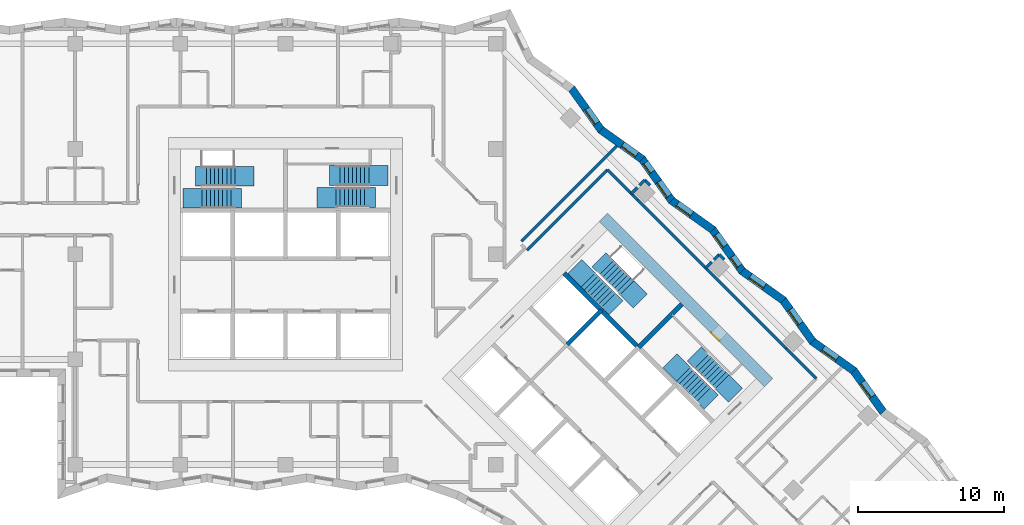
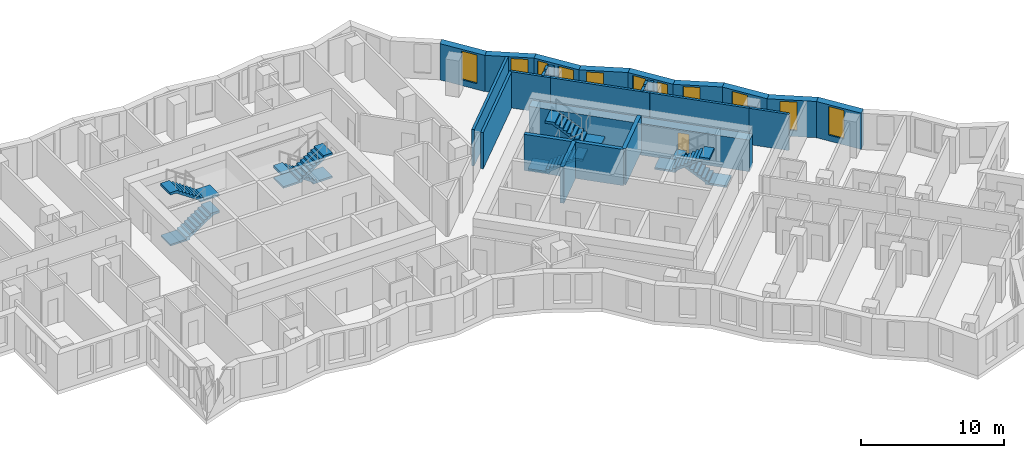
# One storey, part 11 of 13: 25 walls, 11 windows, 8 stair flights, 1 door, 12 openings, 4 elements without a shape of their own.
"""IFC4 building model written with IfcOpenShell, lengths in metres."""

from ifc_helpers import new_model, si_unit, direction, frame, frame_2d, origin, place, context, subcontext, project, spatial, polyline, rectangle, outline, extrude, material, layer, layer_set, type_object, element, fill, aggregate, save


model = new_model("IFC4")

# Units and contexts
model_context = context("Model", 3, precision=1e-05, world=origin(), true_north=direction((0.0, 1.0)))
body_context = subcontext(model_context, "Body", "Model", "MODEL_VIEW")
ifc_project = project(units=[si_unit("LENGTHUNIT", "METRE"), si_unit("AREAUNIT", "SQUARE_METRE"), si_unit("VOLUMEUNIT", "CUBIC_METRE"), si_unit("PLANEANGLEUNIT", "RADIAN"), si_unit("MASSUNIT", "GRAM", prefix="KILO")], contexts=[model_context])

# Site, building, storey
site_placement = place(None, origin())
site = spatial("IfcSite", under=ifc_project, at=site_placement, CompositionType="ELEMENT")
building_placement = place(site_placement, origin())
building = spatial("IfcBuilding", under=site, at=building_placement, Name="Windrow Commons", CompositionType="ELEMENT")
storey_placement = place(building_placement, frame((0.0, 0.0, 111.8)))
storey = spatial("IfcBuildingStorey", under=building, at=storey_placement, Name="L30", CompositionType="ELEMENT", Elevation=111.8)

# Wall, opening, window
ifc_material_1 = material(Name="Brick masonry, red clay brick", Category="masonry")
ifc_layer_1 = layer(ifc_material_1, 0.55)
ifc_layer_set_1 = layer_set([ifc_layer_1], Name="Brick facade wall 550")
wall_type_1 = type_object("IfcWallType", Name="Brick facade wall 550", PredefinedType="SOLIDWALL", material=ifc_layer_set_1)
wall_1_placement = place(storey_placement, frame((105.7038, 46.7989, 0.0), z_axis=(0.0, 0.0, 1.0), x_axis=(-0.5805081201, 0.8142544581, 0.0)))
wall_1 = element("IfcWall", 1, at=wall_1_placement, inside=storey, type_object=wall_type_1, Name="Brick facade wall L30 10", PredefinedType="SOLIDWALL", context=body_context, shape_type="SweptSolid", body=[
    extrude(outline(polyline([(0.0461, -0.275), (3.5067, -0.275), (3.4145, 0.275), (-0.0461, 0.275), (0.0461, -0.275)])), origin(), (0.0, 0.0, 1.0), 3.1),
])
opening_1_placement = place(wall_1_placement, frame((1.2916, 0.0, 0.5)))
opening_1 = element("IfcOpeningElement", 2, at=opening_1_placement, cuts=wall_1, Name="Opening W7D", PredefinedType="OPENING", context=body_context, shape_type="SweptSolid", body=[
    extrude(rectangle(XDim=1.2, YDim=2.45, at=frame_2d((0.6, 1.225))), frame((0.0, 0.285, 0.0), z_axis=(0.0, -1.0, 0.0), x_axis=(1.0, 0.0, 0.0)), (0.0, 0.0, 1.0), 0.57),
])
ifc_material_2 = material(Name="Clear float glass in anodised aluminium frame", Category="aluminium")
window_type_1 = type_object("IfcWindowType", Name="Window W7 notch 1200x2450", PartitioningType="SINGLE_PANEL", PredefinedType="WINDOW", material=ifc_material_2)
window_1_placement = place(opening_1_placement, origin())
window_1 = element("IfcWindow", 3, at=window_1_placement, inside=storey, type_object=window_type_1, Name="Window L30 10.1", OverallHeight=2.45, OverallWidth=1.2, PartitioningType="SINGLE_PANEL", PredefinedType="WINDOW", context=body_context, shape_type="SweptSolid", body=[
    extrude(rectangle(XDim=1.2, YDim=2.45, at=frame_2d((0.6, 1.225))), frame((0.0, 0.155, 0.0), z_axis=(0.0, -1.0, 0.0), x_axis=(1.0, 0.0, 0.0)), (0.0, 0.0, 1.0), 0.06),
])
fill(opening_1, window_1)

wall_2_placement = place(storey_placement, frame((103.6949, 49.6167, 0.0), z_axis=(0.0, 0.0, 1.0), x_axis=(-0.8142407991, 0.5805272785, 0.0)))
wall_2 = element("IfcWall", 4, at=wall_2_placement, inside=storey, type_object=wall_type_1, Name="Brick facade wall L30 11", PredefinedType="SOLIDWALL", context=body_context, shape_type="SweptSolid", body=[
    extrude(outline(polyline([(-0.0461, -0.275), (3.4145, -0.275), (3.5067, 0.275), (0.0461, 0.275), (-0.0461, -0.275)])), origin(), (0.0, 0.0, 1.0), 3.1),
])
opening_2_placement = place(wall_2_placement, frame((1.4095, 0.0, 0.5)))
opening_2 = element("IfcOpeningElement", 5, at=opening_2_placement, cuts=wall_2, Name="Opening W7D", PredefinedType="OPENING", context=body_context, shape_type="SweptSolid", body=[
    extrude(rectangle(XDim=1.2, YDim=2.45, at=frame_2d((0.6, 1.225))), frame((0.0, 0.285, 0.0), z_axis=(0.0, -1.0, 0.0), x_axis=(1.0, 0.0, 0.0)), (0.0, 0.0, 1.0), 0.57),
])
window_2_placement = place(opening_2_placement, origin())
window_2 = element("IfcWindow", 6, at=window_2_placement, inside=storey, type_object=window_type_1, Name="Window L30 11.1", OverallHeight=2.45, OverallWidth=1.2, PartitioningType="SINGLE_PANEL", PredefinedType="WINDOW", context=body_context, shape_type="SweptSolid", body=[
    extrude(rectangle(XDim=1.2, YDim=2.45, at=frame_2d((0.6, 1.225))), frame((0.0, 0.155, 0.0), z_axis=(0.0, -1.0, 0.0), x_axis=(1.0, 0.0, 0.0)), (0.0, 0.0, 1.0), 0.06),
])
fill(opening_2, window_2)

wall_3_placement = place(storey_placement, frame((100.8771, 51.6257, 0.0), z_axis=(0.0, 0.0, 1.0), x_axis=(-0.5805272785, 0.8142407991, 0.0)))
wall_3 = element("IfcWall", 7, at=wall_3_placement, inside=storey, type_object=wall_type_1, Name="Brick facade wall L30 12", PredefinedType="SOLIDWALL", context=body_context, shape_type="SweptSolid", body=[
    extrude(outline(polyline([(0.0461, -0.275), (3.5067, -0.275), (3.4145, 0.275), (-0.0461, 0.275), (0.0461, -0.275)])), origin(), (0.0, 0.0, 1.0), 3.1),
])
opening_3_placement = place(wall_3_placement, frame((1.4812, 0.0, 0.5)))
opening_3 = element("IfcOpeningElement", 8, at=opening_3_placement, cuts=wall_3, Name="Opening W7D", PredefinedType="OPENING", context=body_context, shape_type="SweptSolid", body=[
    extrude(rectangle(XDim=1.2, YDim=2.45, at=frame_2d((0.6, 1.225))), frame((0.0, 0.285, 0.0), z_axis=(0.0, -1.0, 0.0), x_axis=(1.0, 0.0, 0.0)), (0.0, 0.0, 1.0), 0.57),
])
window_3_placement = place(opening_3_placement, origin())
window_3 = element("IfcWindow", 9, at=window_3_placement, inside=storey, type_object=window_type_1, Name="Window L30 12.1", OverallHeight=2.45, OverallWidth=1.2, PartitioningType="SINGLE_PANEL", PredefinedType="WINDOW", context=body_context, shape_type="SweptSolid", body=[
    extrude(rectangle(XDim=1.2, YDim=2.45, at=frame_2d((0.6, 1.225))), frame((0.0, 0.155, 0.0), z_axis=(0.0, -1.0, 0.0), x_axis=(1.0, 0.0, 0.0)), (0.0, 0.0, 1.0), 0.06),
])
fill(opening_3, window_3)

wall_4_placement = place(storey_placement, frame((98.8681, 54.4435, 0.0), z_axis=(0.0, 0.0, 1.0), x_axis=(-0.8142544581, 0.5805081201, 0.0)))
wall_4 = element("IfcWall", 10, at=wall_4_placement, inside=storey, type_object=wall_type_1, Name="Brick facade wall L30 13", PredefinedType="SOLIDWALL", context=body_context, shape_type="SweptSolid", body=[
    extrude(outline(polyline([(-0.0461, -0.275), (3.4145, -0.275), (3.5067, 0.275), (0.0461, 0.275), (-0.0461, -0.275)])), origin(), (0.0, 0.0, 1.0), 3.1),
])
opening_4_placement = place(wall_4_placement, frame((1.599, 0.0, 0.5)))
opening_4 = element("IfcOpeningElement", 11, at=opening_4_placement, cuts=wall_4, Name="Opening W7D", PredefinedType="OPENING", context=body_context, shape_type="SweptSolid", body=[
    extrude(rectangle(XDim=1.2, YDim=2.45, at=frame_2d((0.6, 1.225))), frame((0.0, 0.285, 0.0), z_axis=(0.0, -1.0, 0.0), x_axis=(1.0, 0.0, 0.0)), (0.0, 0.0, 1.0), 0.57),
])
window_4_placement = place(opening_4_placement, origin())
window_4 = element("IfcWindow", 12, at=window_4_placement, inside=storey, type_object=window_type_1, Name="Window L30 13.1", OverallHeight=2.45, OverallWidth=1.2, PartitioningType="SINGLE_PANEL", PredefinedType="WINDOW", context=body_context, shape_type="SweptSolid", body=[
    extrude(rectangle(XDim=1.2, YDim=2.45, at=frame_2d((0.6, 1.225))), frame((0.0, 0.155, 0.0), z_axis=(0.0, -1.0, 0.0), x_axis=(1.0, 0.0, 0.0)), (0.0, 0.0, 1.0), 0.06),
])
fill(opening_4, window_4)

# Wall, openings, windows
wall_5_placement = place(storey_placement, frame((96.0503, 56.4524, 0.0), z_axis=(0.0, 0.0, 1.0), x_axis=(-0.5804944614, 0.8142641957, 0.0)))
wall_5 = element("IfcWall", 13, at=wall_5_placement, inside=storey, type_object=wall_type_1, Name="Brick facade wall L30 14", PredefinedType="SOLIDWALL", context=body_context, shape_type="SweptSolid", body=[
    extrude(outline(polyline([(0.0461, -0.275), (3.5067, -0.275), (3.4145, 0.275), (-0.0461, 0.275), (0.0461, -0.275)])), origin(), (0.0, 0.0, 1.0), 3.1),
])
opening_5_placement = place(wall_5_placement, frame((0.3905, 0.0, 0.45)))
opening_5 = element("IfcOpeningElement", 14, at=opening_5_placement, cuts=wall_5, Name="Opening W1N", PredefinedType="OPENING", context=body_context, shape_type="SweptSolid", body=[
    extrude(rectangle(XDim=0.8, YDim=2.5, at=frame_2d((0.4, 1.25))), frame((0.0, 0.285, 0.0), z_axis=(0.0, -1.0, 0.0), x_axis=(1.0, 0.0, 0.0)), (0.0, 0.0, 1.0), 0.57),
])
opening_6_placement = place(wall_5_placement, frame((2.0708, 0.0, 0.45)))
opening_6 = element("IfcOpeningElement", 15, at=opening_6_placement, cuts=wall_5, Name="Opening W1S", PredefinedType="OPENING", context=body_context, shape_type="SweptSolid", body=[
    extrude(rectangle(XDim=1.0, YDim=2.5, at=frame_2d((0.5, 1.25))), frame((0.0, 0.285, 0.0), z_axis=(0.0, -1.0, 0.0), x_axis=(1.0, 0.0, 0.0)), (0.0, 0.0, 1.0), 0.57),
])
ifc_material_3 = material(Name="Clear float glass in anodised aluminium frame", Category="aluminium")
window_type_2 = type_object("IfcWindowType", Name="Window W1N slit 800x2500", PartitioningType="SINGLE_PANEL", PredefinedType="WINDOW", material=ifc_material_3)
window_5_placement = place(opening_5_placement, origin())
window_5 = element("IfcWindow", 16, at=window_5_placement, inside=storey, type_object=window_type_2, Name="Window L30 14.1A", OverallHeight=2.5, OverallWidth=0.8, PartitioningType="SINGLE_PANEL", PredefinedType="WINDOW", context=body_context, shape_type="SweptSolid", body=[
    extrude(rectangle(XDim=0.8, YDim=2.5, at=frame_2d((0.4, 1.25))), frame((0.0, 0.155, 0.0), z_axis=(0.0, -1.0, 0.0), x_axis=(1.0, 0.0, 0.0)), (0.0, 0.0, 1.0), 0.06),
])
fill(opening_5, window_5)
ifc_material_4 = material(Name="Clear float glass in anodised aluminium frame", Category="aluminium")
window_type_3 = type_object("IfcWindowType", Name="Window W1S slit 1000x2500", PartitioningType="SINGLE_PANEL", PredefinedType="WINDOW", material=ifc_material_4)
window_6_placement = place(opening_6_placement, origin())
window_6 = element("IfcWindow", 17, at=window_6_placement, inside=storey, type_object=window_type_3, Name="Window L30 14.1B", OverallHeight=2.5, OverallWidth=1.0, PartitioningType="SINGLE_PANEL", PredefinedType="WINDOW", context=body_context, shape_type="SweptSolid", body=[
    extrude(rectangle(XDim=1.0, YDim=2.5, at=frame_2d((0.5, 1.25))), frame((0.0, 0.155, 0.0), z_axis=(0.0, -1.0, 0.0), x_axis=(1.0, 0.0, 0.0)), (0.0, 0.0, 1.0), 0.06),
])
fill(opening_6, window_6)

# Wall, opening, window
wall_6_placement = place(storey_placement, frame((94.0414, 59.2703, 0.0), z_axis=(0.0, 0.0, 1.0), x_axis=(-0.8142641957, 0.5804944614, 0.0)))
wall_6 = element("IfcWall", 18, at=wall_6_placement, inside=storey, type_object=wall_type_1, Name="Brick facade wall L30 15", PredefinedType="SOLIDWALL", context=body_context, shape_type="SweptSolid", body=[
    extrude(outline(polyline([(-0.0461, -0.275), (3.4145, -0.275), (3.5067, 0.275), (0.0461, 0.275), (-0.0461, -0.275)])), origin(), (0.0, 0.0, 1.0), 3.1),
])
opening_7_placement = place(wall_6_placement, frame((1.7886, 0.0, 0.5)))
opening_7 = element("IfcOpeningElement", 19, at=opening_7_placement, cuts=wall_6, Name="Opening W7D", PredefinedType="OPENING", context=body_context, shape_type="SweptSolid", body=[
    extrude(rectangle(XDim=1.2, YDim=2.45, at=frame_2d((0.6, 1.225))), frame((0.0, 0.285, 0.0), z_axis=(0.0, -1.0, 0.0), x_axis=(1.0, 0.0, 0.0)), (0.0, 0.0, 1.0), 0.57),
])
window_7_placement = place(opening_7_placement, origin())
window_7 = element("IfcWindow", 20, at=window_7_placement, inside=storey, type_object=window_type_1, Name="Window L30 15.1", OverallHeight=2.45, OverallWidth=1.2, PartitioningType="SINGLE_PANEL", PredefinedType="WINDOW", context=body_context, shape_type="SweptSolid", body=[
    extrude(rectangle(XDim=1.2, YDim=2.45, at=frame_2d((0.6, 1.225))), frame((0.0, 0.155, 0.0), z_axis=(0.0, -1.0, 0.0), x_axis=(1.0, 0.0, 0.0)), (0.0, 0.0, 1.0), 0.06),
])
fill(opening_7, window_7)

# Wall, openings, windows
wall_7_placement = place(storey_placement, frame((91.2235, 61.2792, 0.0), z_axis=(0.0, 0.0, 1.0), x_axis=(-0.5805081201, 0.8142544581, 0.0)))
wall_7 = element("IfcWall", 21, at=wall_7_placement, inside=storey, type_object=wall_type_1, Name="Brick facade wall L30 16", PredefinedType="SOLIDWALL", context=body_context, shape_type="SweptSolid", body=[
    extrude(outline(polyline([(0.0461, -0.275), (3.5067, -0.275), (3.4145, 0.275), (-0.0461, 0.275), (0.0461, -0.275)])), origin(), (0.0, 0.0, 1.0), 3.1),
])
opening_8_placement = place(wall_7_placement, frame((0.3531, 0.0, 0.5)))
opening_8 = element("IfcOpeningElement", 22, at=opening_8_placement, cuts=wall_7, Name="Opening W7D", PredefinedType="OPENING", context=body_context, shape_type="SweptSolid", body=[
    extrude(rectangle(XDim=1.2, YDim=2.45, at=frame_2d((0.6, 1.225))), frame((0.0, 0.285, 0.0), z_axis=(0.0, -1.0, 0.0), x_axis=(1.0, 0.0, 0.0)), (0.0, 0.0, 1.0), 0.57),
])
opening_9_placement = place(wall_7_placement, frame((2.3553, 0.0, 0.45)))
opening_9 = element("IfcOpeningElement", 23, at=opening_9_placement, cuts=wall_7, Name="Opening W1N", PredefinedType="OPENING", context=body_context, shape_type="SweptSolid", body=[
    extrude(rectangle(XDim=0.8, YDim=2.5, at=frame_2d((0.4, 1.25))), frame((0.0, 0.285, 0.0), z_axis=(0.0, -1.0, 0.0), x_axis=(1.0, 0.0, 0.0)), (0.0, 0.0, 1.0), 0.57),
])
window_8_placement = place(opening_9_placement, origin())
window_8 = element("IfcWindow", 24, at=window_8_placement, inside=storey, type_object=window_type_2, Name="Window L30 16.2A", OverallHeight=2.5, OverallWidth=0.8, PartitioningType="SINGLE_PANEL", PredefinedType="WINDOW", context=body_context, shape_type="SweptSolid", body=[
    extrude(rectangle(XDim=0.8, YDim=2.5, at=frame_2d((0.4, 1.25))), frame((0.0, 0.155, 0.0), z_axis=(0.0, -1.0, 0.0), x_axis=(1.0, 0.0, 0.0)), (0.0, 0.0, 1.0), 0.06),
])
fill(opening_9, window_8)
window_9_placement = place(opening_8_placement, origin())
window_9 = element("IfcWindow", 25, at=window_9_placement, inside=storey, type_object=window_type_1, Name="Window L30 16.1", OverallHeight=2.45, OverallWidth=1.2, PartitioningType="SINGLE_PANEL", PredefinedType="WINDOW", context=body_context, shape_type="SweptSolid", body=[
    extrude(rectangle(XDim=1.2, YDim=2.45, at=frame_2d((0.6, 1.225))), frame((0.0, 0.155, 0.0), z_axis=(0.0, -1.0, 0.0), x_axis=(1.0, 0.0, 0.0)), (0.0, 0.0, 1.0), 0.06),
])
fill(opening_8, window_9)

# Wall, opening, window
wall_8_placement = place(storey_placement, frame((89.2146, 64.097, 0.0), z_axis=(0.0, 0.0, 1.0), x_axis=(-0.8142407991, 0.5805272785, 0.0)))
wall_8 = element("IfcWall", 26, at=wall_8_placement, inside=storey, type_object=wall_type_1, Name="Brick facade wall L30 17", PredefinedType="SOLIDWALL", context=body_context, shape_type="SweptSolid", body=[
    extrude(outline(polyline([(-0.0461, -0.275), (3.4145, -0.275), (3.5067, 0.275), (0.0461, 0.275), (-0.0461, -0.275)])), origin(), (0.0, 0.0, 1.0), 3.1),
])
opening_10_placement = place(wall_8_placement, frame((0.4709, 0.0, 0.5)))
opening_10 = element("IfcOpeningElement", 27, at=opening_10_placement, cuts=wall_8, Name="Opening W7D", PredefinedType="OPENING", context=body_context, shape_type="SweptSolid", body=[
    extrude(rectangle(XDim=1.2, YDim=2.45, at=frame_2d((0.6, 1.225))), frame((0.0, 0.285, 0.0), z_axis=(0.0, -1.0, 0.0), x_axis=(1.0, 0.0, 0.0)), (0.0, 0.0, 1.0), 0.57),
])
window_10_placement = place(opening_10_placement, origin())
window_10 = element("IfcWindow", 28, at=window_10_placement, inside=storey, type_object=window_type_1, Name="Window L30 17.1", OverallHeight=2.45, OverallWidth=1.2, PartitioningType="SINGLE_PANEL", PredefinedType="WINDOW", context=body_context, shape_type="SweptSolid", body=[
    extrude(rectangle(XDim=1.2, YDim=2.45, at=frame_2d((0.6, 1.225))), frame((0.0, 0.155, 0.0), z_axis=(0.0, -1.0, 0.0), x_axis=(1.0, 0.0, 0.0)), (0.0, 0.0, 1.0), 0.06),
])
fill(opening_10, window_10)

wall_9_placement = place(storey_placement, frame((86.3968, 66.106, 0.0), z_axis=(0.0, 0.0, 1.0), x_axis=(-0.5805081201, 0.8142544581, 0.0)))
wall_9 = element("IfcWall", 29, at=wall_9_placement, inside=storey, type_object=wall_type_1, Name="Brick facade wall L30 18", PredefinedType="SOLIDWALL", context=body_context, shape_type="SweptSolid", body=[
    extrude(outline(polyline([(0.0461, -0.275), (3.5067, -0.275), (3.4145, 0.275), (-0.0461, 0.275), (0.0461, -0.275)])), origin(), (0.0, 0.0, 1.0), 3.1),
])
opening_11_placement = place(wall_9_placement, frame((0.5427, 0.0, 0.5)))
opening_11 = element("IfcOpeningElement", 30, at=opening_11_placement, cuts=wall_9, Name="Opening W7D", PredefinedType="OPENING", context=body_context, shape_type="SweptSolid", body=[
    extrude(rectangle(XDim=1.2, YDim=2.45, at=frame_2d((0.6, 1.225))), frame((0.0, 0.285, 0.0), z_axis=(0.0, -1.0, 0.0), x_axis=(1.0, 0.0, 0.0)), (0.0, 0.0, 1.0), 0.57),
])
window_11_placement = place(opening_11_placement, origin())
window_11 = element("IfcWindow", 31, at=window_11_placement, inside=storey, type_object=window_type_1, Name="Window L30 18.1", OverallHeight=2.45, OverallWidth=1.2, PartitioningType="SINGLE_PANEL", PredefinedType="WINDOW", context=body_context, shape_type="SweptSolid", body=[
    extrude(rectangle(XDim=1.2, YDim=2.45, at=frame_2d((0.6, 1.225))), frame((0.0, 0.155, 0.0), z_axis=(0.0, -1.0, 0.0), x_axis=(1.0, 0.0, 0.0)), (0.0, 0.0, 1.0), 0.06),
])
fill(opening_11, window_11)

# Walls
ifc_material_5 = material(Name="Blockwork partition", Category="masonry")
ifc_layer_2 = layer(ifc_material_5, 0.2)
ifc_layer_set_2 = layer_set([ifc_layer_2], Name="IW-CORRIDOR-200")
wall_type_2 = type_object("IfcWallType", Name="IW-CORRIDOR-200", PredefinedType="PARTITIONING", material=ifc_layer_set_2)
wall_10_placement = place(storey_placement, frame((81.3224, 57.8576, 0.0), z_axis=(0.0, 0.0, 1.0), x_axis=(0.7069785544, 0.7072349848, 0.0)))
element("IfcWall", 32, at=wall_10_placement, inside=storey, type_object=wall_type_2, Name="W-L30-W016", PredefinedType="PARTITIONING", context=body_context, shape_type="SweptSolid", body=[
    extrude(rectangle(XDim=7.7994, YDim=0.2, at=frame_2d((3.8997, 0.0))), origin(), (0.0, 0.0, 1.0), 3.1),
])
wall_11_placement = place(storey_placement, frame((88.8888, 61.3148, 0.0), z_axis=(0.0, 0.0, 1.0), x_axis=(0.7071067812, -0.7071067812, 0.0)))
element("IfcWall", 33, at=wall_11_placement, inside=storey, type_object=wall_type_2, Name="W-L30-W020", PredefinedType="PARTITIONING", context=body_context, shape_type="SweptSolid", body=[
    extrude(rectangle(XDim=7.187, YDim=0.2, at=frame_2d((3.5935, 0.0))), origin(), (0.0, 0.0, 1.0), 3.1),
])
wall_12_placement = place(storey_placement, frame((93.9808, 56.2228, 0.0), z_axis=(0.0, 0.0, 1.0), x_axis=(0.7071067812, -0.7071067812, 0.0)))
element("IfcWall", 34, at=wall_12_placement, inside=storey, type_object=wall_type_2, Name="W-L30-W021", PredefinedType="PARTITIONING", context=body_context, shape_type="SweptSolid", body=[
    extrude(rectangle(XDim=7.1842, YDim=0.2, at=frame_2d((3.5921, 0.0))), origin(), (0.0, 0.0, 1.0), 3.1),
])
for number, where, z_axis, x_axis, name in (
    (35, (86.8328, 63.3708, 0.0), (0.0, 0.0, 1.0), (0.7071067812, -0.7071067812, 0.0), "W-L30-W064"),
    (36, (99.0708, 51.1328, 0.0), (0.0, 0.0, 1.0), (0.7071067812, -0.7071067812, 0.0), "W-L30-W065"),
):
    element("IfcWall", number, at=place(storey_placement, frame(where, z_axis=z_axis, x_axis=x_axis)), inside=storey, type_object=wall_type_2, Name=name, PredefinedType="PARTITIONING", context=body_context, shape_type="SweptSolid", body=[
        extrude(rectangle(XDim=2.8935, YDim=0.2, at=frame_2d((1.4467, 0.0))), origin(), (0.0, 0.0, 1.0), 3.1),
    ])
ifc_material_6 = material(Name="Blockwork partition", Category="masonry")
ifc_layer_3 = layer(ifc_material_6, 0.2)
ifc_layer_set_3 = layer_set([ifc_layer_3], Name="IW-PARTY-200")
wall_type_3 = type_object("IfcWallType", Name="IW-PARTY-200", PredefinedType="PARTITIONING", material=ifc_layer_set_3)
wall_13_placement = place(storey_placement, frame((80.9489, 58.4771, 0.0), z_axis=(0.0, 0.0, 1.0), x_axis=(0.7071122005, 0.7071013619, 0.0)))
element("IfcWall", 37, at=wall_13_placement, inside=storey, type_object=wall_type_3, Name="W-L30-W013", PredefinedType="PARTITIONING", context=body_context, shape_type="SweptSolid", body=[
    extrude(rectangle(XDim=9.2263, YDim=0.2, at=frame_2d((4.6132, 0.0))), origin(), (0.0, 0.0, 1.0), 3.1),
])
for number, where, z_axis, x_axis, name in (
    (38, (93.5559, 56.6541, 0.0), (0.0, 0.0, 1.0), (0.7087923682, 0.7054171665, 0.0), "W-L30-W193"),
    (39, (88.4669, 61.7431, 0.0), (0.0, 0.0, 1.0), (0.7054171665, 0.7087923682, 0.0), "W-L30-W194"),
):
    element("IfcWall", number, at=place(storey_placement, frame(where, z_axis=z_axis, x_axis=x_axis)), inside=storey, type_object=wall_type_3, Name=name, PredefinedType="PARTITIONING", context=body_context, shape_type="SweptSolid", body=[
        extrude(rectangle(XDim=0.5926, YDim=0.2, at=frame_2d((0.2963, 0.0))), origin(), (0.0, 0.0, 1.0), 3.1),
    ])
for number, where, z_axis, x_axis, name in (
    (40, (94.4781, 57.5781, 0.0), (0.0, 0.0, 1.0), (0.7071067812, -0.7071067812, 0.0), "W-L30-W202"),
    (41, (89.0332, 62.3188, 0.0), (0.0, 0.0, 1.0), (0.7071067812, 0.7071067812, 0.0), "W-L30-W203"),
    (42, (89.3861, 62.6701, 0.0), (0.0, 0.0, 1.0), (0.7071067812, -0.7071067812, 0.0), "W-L30-W204"),
    (43, (94.1244, 57.2276, 0.0), (0.0, 0.0, 1.0), (0.7071067812, 0.7071067812, 0.0), "W-L30-W205"),
):
    element("IfcWall", number, at=place(storey_placement, frame(where, z_axis=z_axis, x_axis=x_axis)), inside=storey, type_object=wall_type_3, Name=name, PredefinedType="PARTITIONING", context=body_context, shape_type="SweptSolid", body=[
        extrude(rectangle(XDim=0.4978, YDim=0.2, at=frame_2d((0.2489, 0.0))), origin(), (0.0, 0.0, 1.0), 3.1),
    ])

# Wall, opening, door
ifc_material_7 = material(Name="Concrete C50/60", Category="concrete")
ifc_layer_4 = layer(ifc_material_7, 0.8)
ifc_layer_set_4 = layer_set([ifc_layer_4], Name="RC CORE WALL 800 C50/60")
wall_type_4 = type_object("IfcWallType", Name="RC CORE WALL 800 C50/60", PredefinedType="SHEAR", material=ifc_layer_set_4)
wall_14_placement = place(storey_placement, frame((86.5539, 60.1206, -0.3), z_axis=(0.0, 0.0, 1.0), x_axis=(0.7071067812, -0.7071067812, 0.0)))
wall_14 = element("IfcWall", 44, at=wall_14_placement, inside=storey, type_object=wall_type_4, Name="Core B wall outer-N", PredefinedType="SHEAR", context=body_context, shape_type="SweptSolid", body=[
    extrude(rectangle(XDim=16.0, YDim=0.8, at=frame_2d((8.0, 0.0))), origin(), (0.0, 0.0, 1.0), 2.7),
])
opening_12_placement = place(wall_14_placement, frame((10.8, 0.0, 0.3)))
opening_12 = element("IfcOpeningElement", 45, at=opening_12_placement, cuts=wall_14, Name="Opening D9", PredefinedType="OPENING", context=body_context, shape_type="SweptSolid", body=[
    extrude(rectangle(XDim=0.8, YDim=2.1, at=frame_2d((0.4, 1.05))), frame((0.0, 0.41, 0.0), z_axis=(0.0, -1.0, 0.0), x_axis=(1.0, 0.0, 0.0)), (0.0, 0.0, 1.0), 0.82),
])
ifc_material_8 = material(Name="Steel fire door leaf", Category="steel")
door_type = type_object("IfcDoorType", Name="Riser access door 800", OperationType="SINGLE_SWING_LEFT", PredefinedType="DOOR", material=ifc_material_8)
door_placement = place(opening_12_placement, origin())
door = element("IfcDoor", 46, at=door_placement, inside=storey, type_object=door_type, Name="Riser access door", OperationType="SINGLE_SWING_RIGHT", OverallHeight=2.1, OverallWidth=0.8, PredefinedType="DOOR", context=body_context, shape_type="SweptSolid", body=[
    extrude(rectangle(XDim=0.8, YDim=2.1, at=frame_2d((0.4, 1.05))), frame((0.0, -0.34, 0.0), z_axis=(0.0, -1.0, 0.0), x_axis=(1.0, 0.0, 0.0)), (0.0, 0.0, 1.0), 0.05),
])
fill(opening_12, door)

# Walls
ifc_material_9 = material(Name="Concrete C50/60", Category="concrete")
ifc_layer_5 = layer(ifc_material_9, 0.3)
ifc_layer_set_5 = layer_set([ifc_layer_5], Name="RC SHAFT WALL 300 C50/60")
wall_type_5 = type_object("IfcWallType", Name="RC SHAFT WALL 300 C50/60", PredefinedType="SOLIDWALL", material=ifc_layer_set_5)
wall_15_placement = place(storey_placement, frame((84.079, 51.4232, 0.0), z_axis=(0.0, 0.0, 1.0), x_axis=(0.7071219326, 0.7070916295, 0.0)))
element("IfcWall", 47, at=wall_15_placement, inside=storey, type_object=wall_type_5, Name="Core B wall shaft-N1", PredefinedType="SOLIDWALL", context=body_context, shape_type="SweptSolid", body=[
    extrude(rectangle(XDim=3.3, YDim=0.3, at=frame_2d((1.65, 0.0))), origin(), (0.0, 0.0, 1.0), 3.1),
])
wall_16_placement = place(storey_placement, frame((83.8669, 56.3022, 0.0), z_axis=(0.0, 0.0, 1.0), x_axis=(0.7071137256, -0.7070998367, 0.0)))
element("IfcWall", 48, at=wall_16_placement, inside=storey, type_object=wall_type_5, Name="Core B wall stair-S", PredefinedType="SOLIDWALL", context=body_context, shape_type="SweptSolid", body=[
    extrude(rectangle(XDim=7.2, YDim=0.3, at=frame_2d((3.6, 0.0))), origin(), (0.0, 0.0, 1.0), 3.1),
])
wall_17_placement = place(storey_placement, frame((88.9581, 51.2111, 0.0), z_axis=(0.0, 0.0, 1.0), x_axis=(0.7071067812, 0.7071067812, 0.0)))
element("IfcWall", 49, at=wall_17_placement, inside=storey, type_object=wall_type_5, Name="Core B wall stair-mid", PredefinedType="SOLIDWALL", context=body_context, shape_type="SweptSolid", body=[
    extrude(rectangle(XDim=4.1999, YDim=0.3, at=frame_2d((2.1, 0.0))), origin(), (0.0, 0.0, 1.0), 3.1),
])

# Stair, stair flights
ifc_material_10 = material(Name="Concrete C40/50", Category="concrete")
stair_type = type_object("IfcStairType", Name="Core stair", PredefinedType="HALF_TURN_STAIR", material=ifc_material_10)
placement = place(storey_placement, origin())
stair_1 = element("IfcStair", 50, at=placement, inside=storey, type_object=stair_type, Name="L30 Exit stair A1 core A", PredefinedType="HALF_TURN_STAIR")
ifc_material_11 = material(Name="Concrete C40/50", Category="concrete")
stair_flight_type = type_object("IfcStairFlightType", Name="Core stair flight", PredefinedType="STRAIGHT", material=ifc_material_11)
stair_flight_1_placement = place(storey_placement, frame((59.1, 61.425, 0.0), z_axis=(0.0, 0.0, 1.0), x_axis=(1.0, 0.0, 0.0)))
stair_flight_1 = element("IfcStairFlight", 51, at=stair_flight_1_placement, type_object=stair_flight_type, Name="ST-A1 flight 1", NumberOfRisers=9, NumberOfTreads=8, PredefinedType="STRAIGHT", RiserHeight=0.188888889, TreadLength=0.28, context=body_context, shape_type="SweptSolid", body=[
    extrude(outline(polyline([(-1.3, -0.15), (-1.3, 0.0), (0.0, 0.0), (0.0, 0.1889), (0.28, 0.1889), (0.28, 0.3778), (0.56, 0.3778), (0.56, 0.5667), (0.84, 0.5667), (0.84, 0.7556), (1.12, 0.7556), (1.12, 0.9444), (1.4, 0.9444), (1.4, 1.1333), (1.68, 1.1333), (1.68, 1.3222), (1.96, 1.3222), (1.96, 1.5111), (2.24, 1.5111), (2.69, 1.5111), (2.69, 1.3111), (2.24, 1.3111), (2.24, 1.3302), (0.2682, 0.0), (0.2682, -0.15), (-1.3, -0.15)])), frame((0.0, 0.675, 0.0), z_axis=(0.0, -1.0, 0.0), x_axis=(1.0, 0.0, 0.0)), (0.0, 0.0, 1.0), 1.35),
])
stair_flight_2_placement = place(storey_placement, frame((61.34, 62.925, 1.7), z_axis=(0.0, 0.0, 1.0), x_axis=(-1.0, 0.0, 0.0)))
stair_flight_2 = element("IfcStairFlight", 52, at=stair_flight_2_placement, type_object=stair_flight_type, Name="ST-A1 flight 2", NumberOfRisers=9, NumberOfTreads=8, PredefinedType="STRAIGHT", RiserHeight=0.188888889, TreadLength=0.28, context=body_context, shape_type="SweptSolid", body=[
    extrude(outline(polyline([(-1.3, -0.15), (-1.3, 0.0), (0.0, 0.0), (0.0, 0.1889), (0.28, 0.1889), (0.28, 0.3778), (0.56, 0.3778), (0.56, 0.5667), (0.84, 0.5667), (0.84, 0.7556), (1.12, 0.7556), (1.12, 0.9444), (1.4, 0.9444), (1.4, 1.1333), (1.68, 1.1333), (1.68, 1.3222), (1.96, 1.3222), (1.96, 1.5111), (2.24, 1.5111), (2.69, 1.5111), (2.69, 1.3111), (2.24, 1.3111), (2.24, 1.3302), (0.2682, 0.0), (0.2682, -0.15), (-1.3, -0.15)])), frame((0.0, 0.675, 0.0), z_axis=(0.0, -1.0, 0.0), x_axis=(1.0, 0.0, 0.0)), (0.0, 0.0, 1.0), 1.35),
])
aggregate(stair_1, [stair_flight_1, stair_flight_2])

stair_2 = element("IfcStair", 53, at=placement, inside=storey, type_object=stair_type, Name="L30 Exit stair A2 core A", PredefinedType="HALF_TURN_STAIR")
stair_flight_3_placement = place(storey_placement, frame((70.5, 62.98, 0.0), z_axis=(0.0, 0.0, 1.0), x_axis=(-1.0, 0.0, 0.0)))
stair_flight_3 = element("IfcStairFlight", 54, at=stair_flight_3_placement, type_object=stair_flight_type, Name="ST-A2 flight 1", NumberOfRisers=9, NumberOfTreads=8, PredefinedType="STRAIGHT", RiserHeight=0.188888889, TreadLength=0.28, context=body_context, shape_type="SweptSolid", body=[
    extrude(outline(polyline([(-1.3, -0.15), (-1.3, 0.0), (0.0, 0.0), (0.0, 0.1889), (0.28, 0.1889), (0.28, 0.3778), (0.56, 0.3778), (0.56, 0.5667), (0.84, 0.5667), (0.84, 0.7556), (1.12, 0.7556), (1.12, 0.9444), (1.4, 0.9444), (1.4, 1.1333), (1.68, 1.1333), (1.68, 1.3222), (1.96, 1.3222), (1.96, 1.5111), (2.24, 1.5111), (2.69, 1.5111), (2.69, 1.3111), (2.24, 1.3111), (2.24, 1.3302), (0.2682, 0.0), (0.2682, -0.15), (-1.3, -0.15)])), frame((0.0, 0.675, 0.0), z_axis=(0.0, -1.0, 0.0), x_axis=(1.0, 0.0, 0.0)), (0.0, 0.0, 1.0), 1.35),
])
stair_flight_4_placement = place(storey_placement, frame((68.26, 61.48, 1.7), z_axis=(0.0, 0.0, 1.0), x_axis=(1.0, 0.0, 0.0)))
stair_flight_4 = element("IfcStairFlight", 55, at=stair_flight_4_placement, type_object=stair_flight_type, Name="ST-A2 flight 2", NumberOfRisers=9, NumberOfTreads=8, PredefinedType="STRAIGHT", RiserHeight=0.188888889, TreadLength=0.28, context=body_context, shape_type="SweptSolid", body=[
    extrude(outline(polyline([(-1.3, -0.15), (-1.3, 0.0), (0.0, 0.0), (0.0, 0.1889), (0.28, 0.1889), (0.28, 0.3778), (0.56, 0.3778), (0.56, 0.5667), (0.84, 0.5667), (0.84, 0.7556), (1.12, 0.7556), (1.12, 0.9444), (1.4, 0.9444), (1.4, 1.1333), (1.68, 1.1333), (1.68, 1.3222), (1.96, 1.3222), (1.96, 1.5111), (2.24, 1.5111), (2.69, 1.5111), (2.69, 1.3111), (2.24, 1.3111), (2.24, 1.3302), (0.2682, 0.0), (0.2682, -0.15), (-1.3, -0.15)])), frame((0.0, 0.675, 0.0), z_axis=(0.0, -1.0, 0.0), x_axis=(1.0, 0.0, 0.0)), (0.0, 0.0, 1.0), 1.35),
])
aggregate(stair_2, [stair_flight_3, stair_flight_4])

stair_3 = element("IfcStair", 56, at=placement, inside=storey, type_object=stair_type, Name="L30 Exit stair B1 core B", PredefinedType="HALF_TURN_STAIR")
stair_flight_5_placement = place(storey_placement, frame((85.5109, 55.8249, 0.0), z_axis=(0.0, 0.0, 1.0), x_axis=(0.7071067812, -0.7071067812, 0.0)))
stair_flight_5 = element("IfcStairFlight", 57, at=stair_flight_5_placement, type_object=stair_flight_type, Name="ST-B1 flight 1", NumberOfRisers=9, NumberOfTreads=8, PredefinedType="STRAIGHT", RiserHeight=0.188888889, TreadLength=0.28, context=body_context, shape_type="SweptSolid", body=[
    extrude(outline(polyline([(-1.3, -0.15), (-1.3, 0.0), (0.0, 0.0), (0.0, 0.1889), (0.28, 0.1889), (0.28, 0.3778), (0.56, 0.3778), (0.56, 0.5667), (0.84, 0.5667), (0.84, 0.7556), (1.12, 0.7556), (1.12, 0.9444), (1.4, 0.9444), (1.4, 1.1333), (1.68, 1.1333), (1.68, 1.3222), (1.96, 1.3222), (1.96, 1.5111), (2.24, 1.5111), (2.69, 1.5111), (2.69, 1.3111), (2.24, 1.3111), (2.24, 1.3302), (0.2682, 0.0), (0.2682, -0.15), (-1.3, -0.15)])), frame((0.0, 0.675, 0.0), z_axis=(0.0, -1.0, 0.0), x_axis=(1.0, 0.0, 0.0)), (0.0, 0.0, 1.0), 1.35),
])
stair_flight_6_placement = place(storey_placement, frame((88.1555, 55.3017, 1.7), z_axis=(0.0, 0.0, 1.0), x_axis=(-0.7071067812, 0.7071067812, 0.0)))
stair_flight_6 = element("IfcStairFlight", 58, at=stair_flight_6_placement, type_object=stair_flight_type, Name="ST-B1 flight 2", NumberOfRisers=9, NumberOfTreads=8, PredefinedType="STRAIGHT", RiserHeight=0.188888889, TreadLength=0.28, context=body_context, shape_type="SweptSolid", body=[
    extrude(outline(polyline([(-1.3, -0.15), (-1.3, 0.0), (0.0, 0.0), (0.0, 0.1889), (0.28, 0.1889), (0.28, 0.3778), (0.56, 0.3778), (0.56, 0.5667), (0.84, 0.5667), (0.84, 0.7556), (1.12, 0.7556), (1.12, 0.9444), (1.4, 0.9444), (1.4, 1.1333), (1.68, 1.1333), (1.68, 1.3222), (1.96, 1.3222), (1.96, 1.5111), (2.24, 1.5111), (2.69, 1.5111), (2.69, 1.3111), (2.24, 1.3111), (2.24, 1.3302), (0.2682, 0.0), (0.2682, -0.15), (-1.3, -0.15)])), frame((0.0, 0.675, 0.0), z_axis=(0.0, -1.0, 0.0), x_axis=(1.0, 0.0, 0.0)), (0.0, 0.0, 1.0), 1.35),
])
aggregate(stair_3, [stair_flight_5, stair_flight_6])

stair_4 = element("IfcStair", 59, at=placement, inside=storey, type_object=stair_type, Name="L30 Exit stair B2 core B", PredefinedType="HALF_TURN_STAIR")
stair_flight_7_placement = place(storey_placement, frame((94.6715, 48.8635, 0.0), z_axis=(0.0, 0.0, 1.0), x_axis=(-0.7071067812, 0.7071067812, 0.0)))
stair_flight_7 = element("IfcStairFlight", 60, at=stair_flight_7_placement, type_object=stair_flight_type, Name="ST-B2 flight 1", NumberOfRisers=9, NumberOfTreads=8, PredefinedType="STRAIGHT", RiserHeight=0.188888889, TreadLength=0.28, context=body_context, shape_type="SweptSolid", body=[
    extrude(outline(polyline([(-1.3, -0.15), (-1.3, 0.0), (0.0, 0.0), (0.0, 0.1889), (0.28, 0.1889), (0.28, 0.3778), (0.56, 0.3778), (0.56, 0.5667), (0.84, 0.5667), (0.84, 0.7556), (1.12, 0.7556), (1.12, 0.9444), (1.4, 0.9444), (1.4, 1.1333), (1.68, 1.1333), (1.68, 1.3222), (1.96, 1.3222), (1.96, 1.5111), (2.24, 1.5111), (2.69, 1.5111), (2.69, 1.3111), (2.24, 1.3111), (2.24, 1.3302), (0.2682, 0.0), (0.2682, -0.15), (-1.3, -0.15)])), frame((0.0, 0.675, 0.0), z_axis=(0.0, -1.0, 0.0), x_axis=(1.0, 0.0, 0.0)), (0.0, 0.0, 1.0), 1.35),
])
stair_flight_8_placement = place(storey_placement, frame((92.0269, 49.3867, 1.7), z_axis=(0.0, 0.0, 1.0), x_axis=(0.7071067812, -0.7071067812, 0.0)))
stair_flight_8 = element("IfcStairFlight", 61, at=stair_flight_8_placement, type_object=stair_flight_type, Name="ST-B2 flight 2", NumberOfRisers=9, NumberOfTreads=8, PredefinedType="STRAIGHT", RiserHeight=0.188888889, TreadLength=0.28, context=body_context, shape_type="SweptSolid", body=[
    extrude(outline(polyline([(-1.3, -0.15), (-1.3, 0.0), (0.0, 0.0), (0.0, 0.1889), (0.28, 0.1889), (0.28, 0.3778), (0.56, 0.3778), (0.56, 0.5667), (0.84, 0.5667), (0.84, 0.7556), (1.12, 0.7556), (1.12, 0.9444), (1.4, 0.9444), (1.4, 1.1333), (1.68, 1.1333), (1.68, 1.3222), (1.96, 1.3222), (1.96, 1.5111), (2.24, 1.5111), (2.69, 1.5111), (2.69, 1.3111), (2.24, 1.3111), (2.24, 1.3302), (0.2682, 0.0), (0.2682, -0.15), (-1.3, -0.15)])), frame((0.0, 0.675, 0.0), z_axis=(0.0, -1.0, 0.0), x_axis=(1.0, 0.0, 0.0)), (0.0, 0.0, 1.0), 1.35),
])
aggregate(stair_4, [stair_flight_7, stair_flight_8])

save(model, "model.ifc")
